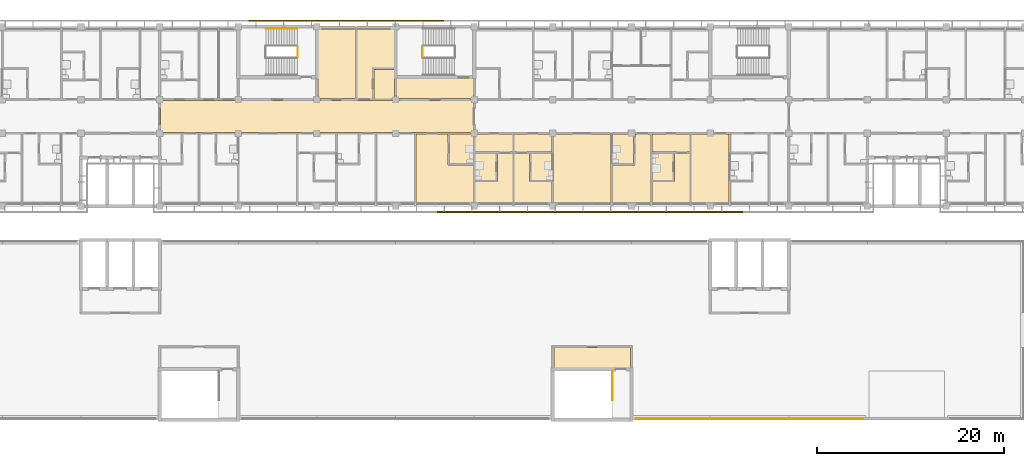
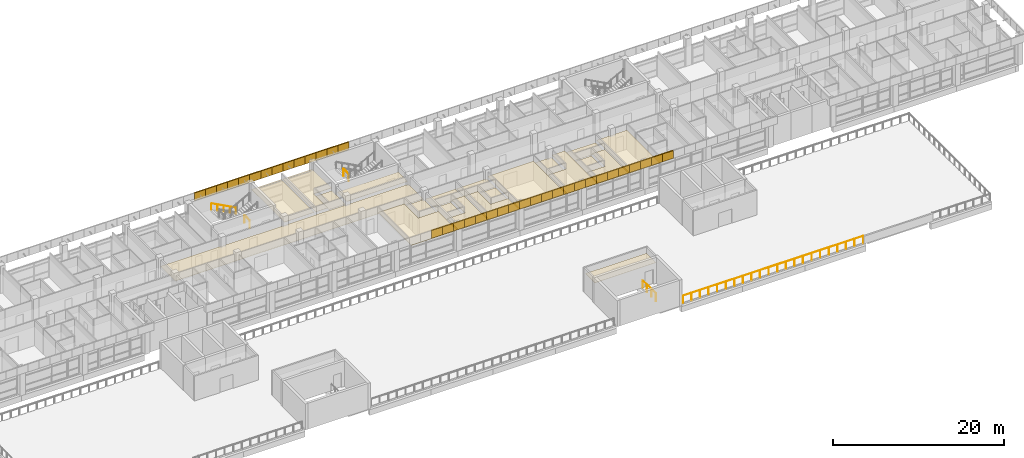
# One storey, part 41 of 46: 57 coverings, 5 railings.
"""IFC4 building model written with IfcOpenShell, lengths in metres."""

from ifc_helpers import new_model, si_unit, direction, frame, origin, origin_2d, place, context, subcontext, project, spatial, polyline, circle, outline, extrude, material, layer, layer_set, type_object, element, save


model = new_model("IFC4")

# Units and contexts
model_context = context("Model", 3, precision=1e-05, world=origin(), true_north=direction((0.0, 1.0)))
body_context = subcontext(model_context, "Body", "Model", "MODEL_VIEW")
ifc_project = project(units=[si_unit("LENGTHUNIT", "METRE"), si_unit("AREAUNIT", "SQUARE_METRE"), si_unit("VOLUMEUNIT", "CUBIC_METRE"), si_unit("PLANEANGLEUNIT", "RADIAN"), si_unit("MASSUNIT", "GRAM", prefix="KILO")], contexts=[model_context])

# Site, building, storey
site_placement = place(None, origin())
site = spatial("IfcSite", under=ifc_project, at=site_placement, CompositionType="ELEMENT")
building_placement = place(site_placement, origin())
building = spatial("IfcBuilding", under=site, at=building_placement, Name="Bougainvillea Quay General Hospital", CompositionType="ELEMENT")
storey_placement = place(building_placement, frame((0.0, 0.0, 28.800048828125)))
storey = spatial("IfcBuildingStorey", under=building, at=storey_placement, Name="L06", CompositionType="ELEMENT", Elevation=28.800048828125)

# Coverings
ifc_material_1 = material(Name="Powder-coated aluminium fascia, white", Category="aluminium")
ifc_layer_1 = layer(ifc_material_1, 0.14990234375)
ifc_layer_set_1 = layer_set([ifc_layer_1], Name="Powder-coated aluminium fascia, white")
covering_type_1 = type_object("IfcCoveringType", Name="Aluminium fascia band white 150x1100", PredefinedType="CLADDING", material=ifc_layer_set_1)
covering_1_placement = place(storey_placement, frame((105.96240234375, 160.14990234375, 3.349853515625), z_axis=(0.0, 0.0, 1.0), x_axis=(-1.0, 0.0, 0.0)))
element("IfcCovering", 1, at=covering_1_placement, inside=storey, type_object=covering_type_1, Name="Fascia band white e0 54", PredefinedType="CLADDING", context=body_context, shape_type="SweptSolid", body=[
    extrude(outline(polyline([(0.0, 0.0), (1.4873046875, 0.0), (1.4873046875, -0.150146484375), (0.0, -0.150146484375), (0.0, 0.0)])), origin(), (0.0, 0.0, 1.0), 1.10009765625),
])
for number, where, z_axis, x_axis, name in (
    (2, (104.47509765625, 160.14990234375, 3.349853515625), (0.0, 0.0, 1.0), (-1.0, 0.0, 0.0), "Fascia band white e0 55"),
    (3, (102.987548828125, 160.14990234375, 3.349853515625), (0.0, 0.0, 1.0), (-1.0, 0.0, 0.0), "Fascia band white e0 56"),
    (4, (101.5, 160.14990234375, 3.349853515625), (0.0, 0.0, 1.0), (-1.0, 0.0, 0.0), "Fascia band white e0 57"),
    (5, (100.012451171875, 160.14990234375, 3.349853515625), (0.0, 0.0, 1.0), (-1.0, 0.0, 0.0), "Fascia band white e0 58"),
):
    element("IfcCovering", number, at=place(storey_placement, frame(where, z_axis=z_axis, x_axis=x_axis)), inside=storey, type_object=covering_type_1, Name=name, PredefinedType="CLADDING", context=body_context, shape_type="SweptSolid", body=[
        extrude(outline(polyline([(0.0, 0.0), (1.487548828125, 0.0), (1.487548828125, -0.150146484375), (0.0, -0.150146484375), (0.0, 0.0)])), origin(), (0.0, 0.0, 1.0), 1.10009765625),
    ])
covering_2_placement = place(storey_placement, frame((98.52490234375, 160.14990234375, 3.349853515625), z_axis=(0.0, 0.0, 1.0), x_axis=(-1.0, 0.0, 0.0)))
element("IfcCovering", 6, at=covering_2_placement, inside=storey, type_object=covering_type_1, Name="Fascia band white e0 59", PredefinedType="CLADDING", context=body_context, shape_type="SweptSolid", body=[
    extrude(outline(polyline([(0.0, 0.0), (1.4873046875, 0.0), (1.4873046875, -0.150146484375), (0.0, -0.150146484375), (0.0, 0.0)])), origin(), (0.0, 0.0, 1.0), 1.10009765625),
])
for number, where, z_axis, x_axis, name in (
    (7, (97.03759765625, 160.14990234375, 3.349853515625), (0.0, 0.0, 1.0), (-1.0, 0.0, 0.0), "Fascia band white e0 60"),
    (8, (95.550048828125, 160.14990234375, 3.349853515625), (0.0, 0.0, 1.0), (-1.0, 0.0, 0.0), "Fascia band white e0 61"),
    (9, (94.0625, 160.14990234375, 3.349853515625), (0.0, 0.0, 1.0), (-1.0, 0.0, 0.0), "Fascia band white e0 62"),
    (10, (92.574951171875, 160.14990234375, 3.349853515625), (0.0, 0.0, 1.0), (-1.0, 0.0, 0.0), "Fascia band white e0 63"),
):
    element("IfcCovering", number, at=place(storey_placement, frame(where, z_axis=z_axis, x_axis=x_axis)), inside=storey, type_object=covering_type_1, Name=name, PredefinedType="CLADDING", context=body_context, shape_type="SweptSolid", body=[
        extrude(outline(polyline([(0.0, 0.0), (1.487548828125, 0.0), (1.487548828125, -0.150146484375), (0.0, -0.150146484375), (0.0, 0.0)])), origin(), (0.0, 0.0, 1.0), 1.10009765625),
    ])
covering_3_placement = place(storey_placement, frame((91.08740234375, 160.14990234375, 3.349853515625), z_axis=(0.0, 0.0, 1.0), x_axis=(-1.0, 0.0, 0.0)))
element("IfcCovering", 11, at=covering_3_placement, inside=storey, type_object=covering_type_1, Name="Fascia band white e0 64", PredefinedType="CLADDING", context=body_context, shape_type="SweptSolid", body=[
    extrude(outline(polyline([(0.0, 0.0), (1.4873046875, 0.0), (1.4873046875, -0.150146484375), (0.0, -0.150146484375), (0.0, 0.0)])), origin(), (0.0, 0.0, 1.0), 1.10009765625),
])
for number, where, z_axis, x_axis, name in (
    (12, (89.60009765625, 160.14990234375, 3.349853515625), (0.0, 0.0, 1.0), (-1.0, 0.0, 0.0), "Fascia band white e0 65"),
    (13, (88.112548828125, 160.14990234375, 3.349853515625), (0.0, 0.0, 1.0), (-1.0, 0.0, 0.0), "Fascia band white e0 66"),
    (14, (86.625, 160.14990234375, 3.349853515625), (0.0, 0.0, 1.0), (-1.0, 0.0, 0.0), "Fascia band white e0 67"),
):
    element("IfcCovering", number, at=place(storey_placement, frame(where, z_axis=z_axis, x_axis=x_axis)), inside=storey, type_object=covering_type_1, Name=name, PredefinedType="CLADDING", context=body_context, shape_type="SweptSolid", body=[
        extrude(outline(polyline([(0.0, 0.0), (1.487548828125, 0.0), (1.487548828125, -0.150146484375), (0.0, -0.150146484375), (0.0, 0.0)])), origin(), (0.0, 0.0, 1.0), 1.10009765625),
    ])
covering_4_placement = place(storey_placement, frame((105.2470703125, 139.85009765625, 3.349853515625), z_axis=(0.0, 0.0, 1.0), x_axis=(1.0, 0.0, 0.0)))
element("IfcCovering", 15, at=covering_4_placement, inside=storey, type_object=covering_type_1, Name="Fascia band white e0 161", PredefinedType="CLADDING", context=body_context, shape_type="SweptSolid", body=[
    extrude(outline(polyline([(0.0, 0.0), (1.482421875, 0.0), (1.482421875, -0.150146484375), (0.0, -0.150146484375), (0.0, 0.0)])), origin(), (0.0, 0.0, 1.0), 1.10009765625),
])
covering_5_placement = place(storey_placement, frame((106.7294921875, 139.85009765625, 3.349853515625), z_axis=(0.0, 0.0, 1.0), x_axis=(1.0, 0.0, 0.0)))
element("IfcCovering", 16, at=covering_5_placement, inside=storey, type_object=covering_type_1, Name="Fascia band white e0 162", PredefinedType="CLADDING", context=body_context, shape_type="SweptSolid", body=[
    extrude(outline(polyline([(0.0, 0.0), (1.482177734375, 0.0), (1.482177734375, -0.150146484375), (0.0, -0.150146484375), (0.0, 0.0)])), origin(), (0.0, 0.0, 1.0), 1.10009765625),
])
for number, where, z_axis, x_axis, name in (
    (17, (108.211669921875, 139.85009765625, 3.349853515625), (0.0, 0.0, 1.0), (1.0, 0.0, 0.0), "Fascia band white e0 163"),
    (18, (109.694091796875, 139.85009765625, 3.349853515625), (0.0, 0.0, 1.0), (1.0, 0.0, 0.0), "Fascia band white e0 164"),
    (19, (111.176513671875, 139.85009765625, 3.349853515625), (0.0, 0.0, 1.0), (1.0, 0.0, 0.0), "Fascia band white e0 165"),
):
    element("IfcCovering", number, at=place(storey_placement, frame(where, z_axis=z_axis, x_axis=x_axis)), inside=storey, type_object=covering_type_1, Name=name, PredefinedType="CLADDING", context=body_context, shape_type="SweptSolid", body=[
        extrude(outline(polyline([(0.0, 0.0), (1.482421875, 0.0), (1.482421875, -0.150146484375), (0.0, -0.150146484375), (0.0, 0.0)])), origin(), (0.0, 0.0, 1.0), 1.10009765625),
    ])
covering_6_placement = place(storey_placement, frame((112.658935546875, 139.85009765625, 3.349853515625), z_axis=(0.0, 0.0, 1.0), x_axis=(1.0, 0.0, 0.0)))
element("IfcCovering", 20, at=covering_6_placement, inside=storey, type_object=covering_type_1, Name="Fascia band white e0 166", PredefinedType="CLADDING", context=body_context, shape_type="SweptSolid", body=[
    extrude(outline(polyline([(0.0, 0.0), (1.482177734375, 0.0), (1.482177734375, -0.150146484375), (0.0, -0.150146484375), (0.0, 0.0)])), origin(), (0.0, 0.0, 1.0), 1.10009765625),
])
for number, where, z_axis, x_axis, name in (
    (21, (114.14111328125, 139.85009765625, 3.349853515625), (0.0, 0.0, 1.0), (1.0, 0.0, 0.0), "Fascia band white e0 167"),
    (22, (115.62353515625, 139.85009765625, 3.349853515625), (0.0, 0.0, 1.0), (1.0, 0.0, 0.0), "Fascia band white e0 168"),
):
    element("IfcCovering", number, at=place(storey_placement, frame(where, z_axis=z_axis, x_axis=x_axis)), inside=storey, type_object=covering_type_1, Name=name, PredefinedType="CLADDING", context=body_context, shape_type="SweptSolid", body=[
        extrude(outline(polyline([(0.0, 0.0), (1.482421875, 0.0), (1.482421875, -0.150146484375), (0.0, -0.150146484375), (0.0, 0.0)])), origin(), (0.0, 0.0, 1.0), 1.10009765625),
    ])
covering_7_placement = place(storey_placement, frame((117.10595703125, 139.85009765625, 3.349853515625), z_axis=(0.0, 0.0, 1.0), x_axis=(1.0, 0.0, 0.0)))
element("IfcCovering", 23, at=covering_7_placement, inside=storey, type_object=covering_type_1, Name="Fascia band white e0 169", PredefinedType="CLADDING", context=body_context, shape_type="SweptSolid", body=[
    extrude(outline(polyline([(0.0, 0.0), (1.482177734375, 0.0), (1.482177734375, -0.150146484375), (0.0, -0.150146484375), (0.0, 0.0)])), origin(), (0.0, 0.0, 1.0), 1.10009765625),
])
for number, where, z_axis, x_axis, name in (
    (24, (118.588134765625, 139.85009765625, 3.349853515625), (0.0, 0.0, 1.0), (1.0, 0.0, 0.0), "Fascia band white e0 170"),
    (25, (120.070556640625, 139.85009765625, 3.349853515625), (0.0, 0.0, 1.0), (1.0, 0.0, 0.0), "Fascia band white e0 171"),
    (26, (121.552978515625, 139.85009765625, 3.349853515625), (0.0, 0.0, 1.0), (1.0, 0.0, 0.0), "Fascia band white e0 172"),
):
    element("IfcCovering", number, at=place(storey_placement, frame(where, z_axis=z_axis, x_axis=x_axis)), inside=storey, type_object=covering_type_1, Name=name, PredefinedType="CLADDING", context=body_context, shape_type="SweptSolid", body=[
        extrude(outline(polyline([(0.0, 0.0), (1.482421875, 0.0), (1.482421875, -0.150146484375), (0.0, -0.150146484375), (0.0, 0.0)])), origin(), (0.0, 0.0, 1.0), 1.10009765625),
    ])
covering_8_placement = place(storey_placement, frame((123.035400390625, 139.85009765625, 3.349853515625), z_axis=(0.0, 0.0, 1.0), x_axis=(1.0, 0.0, 0.0)))
element("IfcCovering", 27, at=covering_8_placement, inside=storey, type_object=covering_type_1, Name="Fascia band white e0 173", PredefinedType="CLADDING", context=body_context, shape_type="SweptSolid", body=[
    extrude(outline(polyline([(0.0, 0.0), (1.482177734375, 0.0), (1.482177734375, -0.150146484375), (0.0, -0.150146484375), (0.0, 0.0)])), origin(), (0.0, 0.0, 1.0), 1.10009765625),
])
for number, where, z_axis, x_axis, name in (
    (28, (124.517578125, 139.85009765625, 3.349853515625), (0.0, 0.0, 1.0), (1.0, 0.0, 0.0), "Fascia band white e0 174"),
    (29, (126.0, 139.85009765625, 3.349853515625), (0.0, 0.0, 1.0), (1.0, 0.0, 0.0), "Fascia band white e0 175"),
):
    element("IfcCovering", number, at=place(storey_placement, frame(where, z_axis=z_axis, x_axis=x_axis)), inside=storey, type_object=covering_type_1, Name=name, PredefinedType="CLADDING", context=body_context, shape_type="SweptSolid", body=[
        extrude(outline(polyline([(0.0, 0.0), (1.482421875, 0.0), (1.482421875, -0.150146484375), (0.0, -0.150146484375), (0.0, 0.0)])), origin(), (0.0, 0.0, 1.0), 1.10009765625),
    ])
covering_9_placement = place(storey_placement, frame((127.482421875, 139.85009765625, 3.349853515625), z_axis=(0.0, 0.0, 1.0), x_axis=(1.0, 0.0, 0.0)))
element("IfcCovering", 30, at=covering_9_placement, inside=storey, type_object=covering_type_1, Name="Fascia band white e0 176", PredefinedType="CLADDING", context=body_context, shape_type="SweptSolid", body=[
    extrude(outline(polyline([(0.0, 0.0), (1.482177734375, 0.0), (1.482177734375, -0.150146484375), (0.0, -0.150146484375), (0.0, 0.0)])), origin(), (0.0, 0.0, 1.0), 1.10009765625),
])
for number, where, z_axis, x_axis, name in (
    (31, (128.964599609375, 139.85009765625, 3.349853515625), (0.0, 0.0, 1.0), (1.0, 0.0, 0.0), "Fascia band white e0 177"),
    (32, (130.447021484375, 139.85009765625, 3.349853515625), (0.0, 0.0, 1.0), (1.0, 0.0, 0.0), "Fascia band white e0 178"),
    (33, (131.929443359375, 139.85009765625, 3.349853515625), (0.0, 0.0, 1.0), (1.0, 0.0, 0.0), "Fascia band white e0 179"),
):
    element("IfcCovering", number, at=place(storey_placement, frame(where, z_axis=z_axis, x_axis=x_axis)), inside=storey, type_object=covering_type_1, Name=name, PredefinedType="CLADDING", context=body_context, shape_type="SweptSolid", body=[
        extrude(outline(polyline([(0.0, 0.0), (1.482421875, 0.0), (1.482421875, -0.150146484375), (0.0, -0.150146484375), (0.0, 0.0)])), origin(), (0.0, 0.0, 1.0), 1.10009765625),
    ])
covering_10_placement = place(storey_placement, frame((133.411865234375, 139.85009765625, 3.349853515625), z_axis=(0.0, 0.0, 1.0), x_axis=(1.0, 0.0, 0.0)))
element("IfcCovering", 34, at=covering_10_placement, inside=storey, type_object=covering_type_1, Name="Fascia band white e0 180", PredefinedType="CLADDING", context=body_context, shape_type="SweptSolid", body=[
    extrude(outline(polyline([(0.0, 0.0), (1.482177734375, 0.0), (1.482177734375, -0.150146484375), (0.0, -0.150146484375), (0.0, 0.0)])), origin(), (0.0, 0.0, 1.0), 1.10009765625),
])
for number, where, z_axis, x_axis, name in (
    (35, (134.89404296875, 139.85009765625, 3.349853515625), (0.0, 0.0, 1.0), (1.0, 0.0, 0.0), "Fascia band white e0 181"),
    (36, (136.37646484375, 139.85009765625, 3.349853515625), (0.0, 0.0, 1.0), (1.0, 0.0, 0.0), "Fascia band white e0 182"),
):
    element("IfcCovering", number, at=place(storey_placement, frame(where, z_axis=z_axis, x_axis=x_axis)), inside=storey, type_object=covering_type_1, Name=name, PredefinedType="CLADDING", context=body_context, shape_type="SweptSolid", body=[
        extrude(outline(polyline([(0.0, 0.0), (1.482421875, 0.0), (1.482421875, -0.150146484375), (0.0, -0.150146484375), (0.0, 0.0)])), origin(), (0.0, 0.0, 1.0), 1.10009765625),
    ])

# Railings
ifc_material_2 = material(Name="Stainless steel guard, brushed grade 316", Category="steel")
railing_type_1 = type_object("IfcRailingType", Name="Stainless steel guard 1100", PredefinedType="GUARDRAIL", material=ifc_material_2)
railing_1_placement = place(storey_placement, frame((150.75, 117.75, 0.0)))
element("IfcRailing", 37, at=railing_1_placement, inside=storey, type_object=railing_type_1, Name="Guard G01", PredefinedType="GUARDRAIL", context=body_context, shape_type="SweptSolid", body=[
    extrude(circle(Radius=0.02392578125, at=origin_2d()), frame((0.0, 0.0, 1.076171875), z_axis=(-1.0, 0.0, 0.0), x_axis=(0.0, -1.0, 0.0)), (0.0, 0.0, 1.0), 24.300048828125),
    extrude(circle(Radius=0.02099609375, at=origin_2d()), origin(), (0.0, 0.0, 1.0), 1.052001953125),
    extrude(circle(Radius=0.02099609375, at=origin_2d()), frame((-1.1572265625, 0.0, 0.0)), (0.0, 0.0, 1.0), 1.052001953125),
    extrude(circle(Radius=0.02099609375, at=origin_2d()), frame((-2.314208984375, 0.0, 0.0)), (0.0, 0.0, 1.0), 1.052001953125),
    extrude(circle(Radius=0.02099609375, at=origin_2d()), frame((-3.471435546875, 0.0, 0.0)), (0.0, 0.0, 1.0), 1.052001953125),
    extrude(circle(Radius=0.02099609375, at=origin_2d()), frame((-4.628662109375, 0.0, 0.0)), (0.0, 0.0, 1.0), 1.052001953125),
    extrude(circle(Radius=0.02099609375, at=origin_2d()), frame((-5.78564453125, 0.0, 0.0)), (0.0, 0.0, 1.0), 1.052001953125),
    extrude(circle(Radius=0.02099609375, at=origin_2d()), frame((-6.94287109375, 0.0, 0.0)), (0.0, 0.0, 1.0), 1.052001953125),
    extrude(circle(Radius=0.02099609375, at=origin_2d()), frame((-8.10009765625, 0.0, 0.0)), (0.0, 0.0, 1.0), 1.052001953125),
    extrude(circle(Radius=0.02099609375, at=origin_2d()), frame((-9.257080078125, 0.0, 0.0)), (0.0, 0.0, 1.0), 1.052001953125),
    extrude(circle(Radius=0.02099609375, at=origin_2d()), frame((-10.414306640625, 0.0, 0.0)), (0.0, 0.0, 1.0), 1.052001953125),
    extrude(circle(Radius=0.02099609375, at=origin_2d()), frame((-11.571533203125, 0.0, 0.0)), (0.0, 0.0, 1.0), 1.052001953125),
    extrude(circle(Radius=0.02099609375, at=origin_2d()), frame((-12.728515625, 0.0, 0.0)), (0.0, 0.0, 1.0), 1.052001953125),
    extrude(circle(Radius=0.02099609375, at=origin_2d()), frame((-13.8857421875, 0.0, 0.0)), (0.0, 0.0, 1.0), 1.052001953125),
    extrude(circle(Radius=0.02099609375, at=origin_2d()), frame((-15.04296875, 0.0, 0.0)), (0.0, 0.0, 1.0), 1.052001953125),
    extrude(circle(Radius=0.02099609375, at=origin_2d()), frame((-16.199951171875, 0.0, 0.0)), (0.0, 0.0, 1.0), 1.052001953125),
    extrude(circle(Radius=0.02099609375, at=origin_2d()), frame((-17.357177734375, 0.0, 0.0)), (0.0, 0.0, 1.0), 1.052001953125),
    extrude(circle(Radius=0.02099609375, at=origin_2d()), frame((-18.514404296875, 0.0, 0.0)), (0.0, 0.0, 1.0), 1.052001953125),
    extrude(circle(Radius=0.02099609375, at=origin_2d()), frame((-19.67138671875, 0.0, 0.0)), (0.0, 0.0, 1.0), 1.052001953125),
    extrude(circle(Radius=0.02099609375, at=origin_2d()), frame((-20.82861328125, 0.0, 0.0)), (0.0, 0.0, 1.0), 1.052001953125),
    extrude(circle(Radius=0.02099609375, at=origin_2d()), frame((-21.98583984375, 0.0, 0.0)), (0.0, 0.0, 1.0), 1.052001953125),
    extrude(circle(Radius=0.02099609375, at=origin_2d()), frame((-23.142822265625, 0.0, 0.0)), (0.0, 0.0, 1.0), 1.052001953125),
    extrude(circle(Radius=0.02099609375, at=origin_2d()), frame((-24.300048828125, 0.0, 0.0)), (0.0, 0.0, 1.0), 1.052001953125),
])
ifc_material_3 = material(Name="Stainless steel 304 balustrade", Category="steel")
railing_type_2 = type_object("IfcRailingType", Name="Stair guard 1100", PredefinedType="GUARDRAIL", material=ifc_material_3)
railing_2_placement = place(storey_placement, frame((90.35009765625, 157.5, 0.0)))
element("IfcRailing", 38, at=railing_2_placement, inside=storey, type_object=railing_type_2, Name="L06 ST-A2 stair guard 4", PredefinedType="GUARDRAIL", context=body_context, shape_type="SweptSolid", body=[
    extrude(circle(Radius=0.02392578125, at=origin_2d()), frame((0.0, 0.0, 1.076171875), z_axis=(0.0, -1.0, 0.0), x_axis=(1.0, 0.0, 0.0)), (0.0, 0.0, 1.0), 1.199951171875),
    extrude(circle(Radius=0.02099609375, at=origin_2d()), origin(), (0.0, 0.0, 1.0), 1.052001953125),
    extrude(circle(Radius=0.02099609375, at=origin_2d()), frame((0.0, -1.199951171875, 0.0)), (0.0, 0.0, 1.0), 1.052001953125),
])
railing_3_placement = place(storey_placement, frame((123.949951171875, 122.824951171875, 0.0)))
element("IfcRailing", 39, at=railing_3_placement, inside=storey, type_object=railing_type_2, Name="L06 ST-B3 top well guard 1", PredefinedType="GUARDRAIL", context=body_context, shape_type="SweptSolid", body=[
    extrude(circle(Radius=0.02392578125, at=origin_2d()), frame((0.0, 0.0, 1.076171875), z_axis=(0.0, -1.0, 0.0), x_axis=(1.0, 0.0, 0.0)), (0.0, 0.0, 1.0), 3.125),
    extrude(circle(Radius=0.02099609375, at=origin_2d()), origin(), (0.0, 0.0, 1.0), 1.052001953125),
    extrude(circle(Radius=0.02099609375, at=origin_2d()), frame((0.0, -1.041748046875, 0.0)), (0.0, 0.0, 1.0), 1.052001953125),
    extrude(circle(Radius=0.02099609375, at=origin_2d()), frame((0.0, -2.083251953125, 0.0)), (0.0, 0.0, 1.0), 1.052001953125),
    extrude(circle(Radius=0.02099609375, at=origin_2d()), frame((0.0, -3.125, 0.0)), (0.0, 0.0, 1.0), 1.052001953125),
])
railing_4_placement = place(storey_placement, frame((103.68994140625, 157.5, 1.949951171875)))
element("IfcRailing", 40, at=railing_4_placement, inside=storey, type_object=railing_type_2, Name="L06 ST-A5 stair guard 2", PredefinedType="GUARDRAIL", context=body_context, shape_type="SweptSolid", body=[
    extrude(circle(Radius=0.02392578125, at=origin_2d()), frame((0.0, 0.0, 1.076171875), z_axis=(0.0, -1.0, 0.0), x_axis=(1.0, 0.0, 0.0)), (0.0, 0.0, 1.0), 1.199951171875),
    extrude(circle(Radius=0.02099609375, at=origin_2d()), origin(), (0.0, 0.0, 1.0), 1.052001953125),
    extrude(circle(Radius=0.02099609375, at=origin_2d()), frame((0.0, -1.199951171875, 0.0)), (0.0, 0.0, 1.0), 1.052001953125),
])
ifc_material_4 = material(Name="Stainless steel 304 handrail", Category="steel")
railing_type_3 = type_object("IfcRailingType", Name="Stair handrail 900", PredefinedType="HANDRAIL", material=ifc_material_4)
railing_5_placement = place(storey_placement, frame((90.300048828125, 159.375, 0.14990234375)))
element("IfcRailing", 41, at=railing_5_placement, inside=storey, type_object=railing_type_3, Name="L06 ST-A2 stair handrail 1", PredefinedType="HANDRAIL", context=body_context, shape_type="SweptSolid", body=[
    extrude(circle(Radius=0.02392578125, at=origin_2d()), frame((0.0, 0.0, 0.8759765625), z_axis=(-0.881480922165, 0.0, 0.47221963519), x_axis=(0.0, -1.0, 0.0)), (0.0, 0.0, 1.0), 3.811767578125),
    extrude(circle(Radius=0.02099609375, at=origin_2d()), origin(), (0.0, 0.0, 1.0), 0.851806640625),
    extrude(circle(Radius=0.02099609375, at=origin_2d()), frame((-0.840087890625, 0.0, 0.449951171875)), (0.0, 0.0, 1.0), 0.851806640625),
    extrude(circle(Radius=0.02099609375, at=origin_2d()), frame((-1.68017578125, 0.0, 0.89990234375)), (0.0, 0.0, 1.0), 0.851806640625),
    extrude(circle(Radius=0.02099609375, at=origin_2d()), frame((-2.52001953125, 0.0, 1.35009765625)), (0.0, 0.0, 1.0), 0.851806640625),
    extrude(circle(Radius=0.02099609375, at=origin_2d()), frame((-3.360107421875, 0.0, 1.800048828125)), (0.0, 0.0, 1.0), 0.851806640625),
])

# Coverings
ifc_material_5 = material(Name="Mineral fibre ceiling tile")
ifc_layer_2 = layer(ifc_material_5, 0.030029296875)
ifc_layer_set_2 = layer_set([ifc_layer_2], Name="Mineral fibre ceiling tile")
covering_type_2 = type_object("IfcCoveringType", Name="Suspended ceiling mineral fibre tile", PredefinedType="CEILING", material=ifc_layer_set_2)
covering_11_placement = place(storey_placement, frame((0.0, 0.0, 2.699951171875)))
element("IfcCovering", 42, at=covering_11_placement, inside=storey, type_object=covering_type_2, Name="Ceiling Refuge Room RR-A2-L06", PredefinedType="CEILING", context=body_context, shape_type="SweptSolid", body=[
    extrude(outline(polyline([(92.5, 159.60009765625), (92.5, 151.89990234375), (96.5, 151.89990234375), (96.5, 159.60009765625), (92.5, 159.60009765625)])), origin(), (0.0, 0.0, 1.0), 0.030029296875),
])
covering_12_placement = place(storey_placement, frame((0.0, 0.0, 2.699951171875)))
element("IfcCovering", 43, at=covering_12_placement, inside=storey, type_object=covering_type_2, Name="Ceiling Smoke-proof Vestibule ST-A5", PredefinedType="CEILING", context=body_context, shape_type="SweptSolid", body=[
    extrude(outline(polyline([(109.10009765625, 154.10009765625), (100.89990234375, 154.10009765625), (100.89990234375, 151.89990234375), (109.10009765625, 151.89990234375), (109.10009765625, 154.10009765625)])), origin(), (0.0, 0.0, 1.0), 0.030029296875),
])
covering_13_placement = place(storey_placement, frame((0.0, 0.0, 2.699951171875)))
element("IfcCovering", 44, at=covering_13_placement, inside=storey, type_object=covering_type_2, Name="Ceiling Smoke-proof Vestibule ST-B3", PredefinedType="CEILING", context=body_context, shape_type="SweptSolid", body=[
    extrude(outline(polyline([(117.699951171875, 125.300048828125), (117.699951171875, 123.10009765625), (125.89990234375, 123.10009765625), (125.89990234375, 125.300048828125), (117.699951171875, 125.300048828125)])), origin(), (0.0, 0.0, 1.0), 0.030029296875),
])
covering_14_placement = place(storey_placement, frame((0.0, 0.0, 2.699951171875)))
element("IfcCovering", 45, at=covering_14_placement, inside=storey, type_object=covering_type_2, Name="Ceiling Two-bed Oncology Room 06A18", PredefinedType="CEILING", context=body_context, shape_type="SweptSolid", body=[
    extrude(outline(polyline([(109.10009765625, 140.39990234375), (109.10009765625, 144.824951171875), (106.425048828125, 144.824951171875), (106.425048828125, 148.125), (102.97509765625, 148.125), (102.97509765625, 140.39990234375), (109.10009765625, 140.39990234375)])), origin(), (0.0, 0.0, 1.0), 0.030029296875),
])
covering_15_placement = place(storey_placement, frame((0.0, 0.0, 2.39990234375)))
element("IfcCovering", 46, at=covering_15_placement, inside=storey, type_object=covering_type_2, Name="Ceiling En-suite 06A18", PredefinedType="CEILING", context=body_context, shape_type="SweptSolid", body=[
    extrude(outline(polyline([(106.574951171875, 144.97509765625), (109.10009765625, 144.97509765625), (109.10009765625, 148.125), (106.574951171875, 148.125), (106.574951171875, 144.97509765625)])), origin(), (0.0, 0.0, 1.0), 0.030029296875),
])
covering_16_placement = place(storey_placement, frame((0.0, 0.0, 2.699951171875)))
element("IfcCovering", 47, at=covering_16_placement, inside=storey, type_object=covering_type_2, Name="Ceiling Oncology Patient Room 06A22", PredefinedType="CEILING", context=body_context, shape_type="SweptSolid", body=[
    extrude(outline(polyline([(96.699951171875, 159.60009765625), (96.699951171875, 151.875), (98.324951171875, 151.875), (98.324951171875, 155.175048828125), (100.72509765625, 155.175048828125), (100.72509765625, 159.60009765625), (96.699951171875, 159.60009765625)])), origin(), (0.0, 0.0, 1.0), 0.030029296875),
])
covering_17_placement = place(storey_placement, frame((0.0, 0.0, 2.39990234375)))
element("IfcCovering", 48, at=covering_17_placement, inside=storey, type_object=covering_type_2, Name="Ceiling En-suite 06A22", PredefinedType="CEILING", context=body_context, shape_type="SweptSolid", body=[
    extrude(outline(polyline([(98.47509765625, 151.875), (100.699951171875, 151.875), (100.699951171875, 154.300048828125), (100.75, 154.300048828125), (100.75, 155.02490234375), (98.47509765625, 155.02490234375), (98.47509765625, 151.875)])), origin(), (0.0, 0.0, 1.0), 0.030029296875),
])
covering_18_placement = place(storey_placement, frame((0.0, 0.0, 2.699951171875)))
element("IfcCovering", 49, at=covering_18_placement, inside=storey, type_object=covering_type_2, Name="Ceiling Airborne Isolation Room 06A23", PredefinedType="CEILING", context=body_context, shape_type="SweptSolid", body=[
    extrude(outline(polyline([(113.324951171875, 140.39990234375), (113.324951171875, 146.02490234375), (111.675048828125, 146.02490234375), (111.675048828125, 143.02490234375), (109.300048828125, 143.02490234375), (109.300048828125, 140.39990234375), (113.324951171875, 140.39990234375)])), origin(), (0.0, 0.0, 1.0), 0.030029296875),
])
covering_19_placement = place(storey_placement, frame((0.0, 0.0, 2.39990234375)))
element("IfcCovering", 50, at=covering_19_placement, inside=storey, type_object=covering_type_2, Name="Ceiling Isolation Anteroom 06A23", PredefinedType="CEILING", context=body_context, shape_type="SweptSolid", body=[
    extrude(outline(polyline([(109.300048828125, 146.175048828125), (113.324951171875, 146.175048828125), (113.324951171875, 148.125), (109.300048828125, 148.125), (109.300048828125, 146.175048828125)])), origin(), (0.0, 0.0, 1.0), 0.030029296875),
])
covering_20_placement = place(storey_placement, frame((0.0, 0.0, 2.39990234375)))
element("IfcCovering", 51, at=covering_20_placement, inside=storey, type_object=covering_type_2, Name="Ceiling En-suite 06A23", PredefinedType="CEILING", context=body_context, shape_type="SweptSolid", body=[
    extrude(outline(polyline([(109.300048828125, 143.175048828125), (111.52490234375, 143.175048828125), (111.52490234375, 146.02490234375), (109.300048828125, 146.02490234375), (109.300048828125, 143.175048828125)])), origin(), (0.0, 0.0, 1.0), 0.030029296875),
])
covering_21_placement = place(storey_placement, frame((0.0, 0.0, 2.699951171875)))
element("IfcCovering", 52, at=covering_21_placement, inside=storey, type_object=covering_type_2, Name="Ceiling Airborne Isolation Room 06A24", PredefinedType="CEILING", context=body_context, shape_type="SweptSolid", body=[
    extrude(outline(polyline([(117.52490234375, 140.39990234375), (117.52490234375, 143.02490234375), (115.125, 143.02490234375), (115.125, 146.02490234375), (113.47509765625, 146.02490234375), (113.47509765625, 140.39990234375), (117.52490234375, 140.39990234375)])), origin(), (0.0, 0.0, 1.0), 0.030029296875),
])
covering_22_placement = place(storey_placement, frame((0.0, 0.0, 2.39990234375)))
element("IfcCovering", 53, at=covering_22_placement, inside=storey, type_object=covering_type_2, Name="Ceiling Isolation Anteroom 06A24", PredefinedType="CEILING", context=body_context, shape_type="SweptSolid", body=[
    extrude(outline(polyline([(113.47509765625, 146.175048828125), (117.52490234375, 146.175048828125), (117.52490234375, 148.125), (113.47509765625, 148.125), (113.47509765625, 146.175048828125)])), origin(), (0.0, 0.0, 1.0), 0.030029296875),
])
covering_23_placement = place(storey_placement, frame((0.0, 0.0, 2.39990234375)))
element("IfcCovering", 54, at=covering_23_placement, inside=storey, type_object=covering_type_2, Name="Ceiling En-suite 06A24", PredefinedType="CEILING", context=body_context, shape_type="SweptSolid", body=[
    extrude(outline(polyline([(115.27490234375, 146.02490234375), (115.27490234375, 143.175048828125), (117.550048828125, 143.175048828125), (117.550048828125, 146.02490234375), (115.27490234375, 146.02490234375)])), origin(), (0.0, 0.0, 1.0), 0.030029296875),
])
covering_24_placement = place(storey_placement, frame((0.0, 0.0, 2.699951171875)))
element("IfcCovering", 55, at=covering_24_placement, inside=storey, type_object=covering_type_2, Name="Ceiling Nurses' Station 06A25", PredefinedType="CEILING", context=body_context, shape_type="SweptSolid", body=[
    extrude(outline(polyline([(123.824951171875, 140.39990234375), (123.824951171875, 144.97509765625), (123.85009765625, 144.97509765625), (123.85009765625, 148.125), (117.675048828125, 148.125), (117.675048828125, 146.02490234375), (117.64990234375, 146.02490234375), (117.64990234375, 143.175048828125), (117.675048828125, 143.175048828125), (117.675048828125, 140.39990234375), (123.824951171875, 140.39990234375)])), origin(), (0.0, 0.0, 1.0), 0.030029296875),
])
covering_25_placement = place(storey_placement, frame((0.0, 0.0, 2.699951171875)))
element("IfcCovering", 56, at=covering_25_placement, inside=storey, type_object=covering_type_2, Name="Ceiling Negative Pressure Patient Room 06A26", PredefinedType="CEILING", context=body_context, shape_type="SweptSolid", body=[
    extrude(outline(polyline([(128.02490234375, 140.39990234375), (128.02490234375, 148.125), (126.375, 148.125), (126.375, 144.824951171875), (123.97509765625, 144.824951171875), (123.97509765625, 140.39990234375), (128.02490234375, 140.39990234375)])), origin(), (0.0, 0.0, 1.0), 0.030029296875),
])
covering_26_placement = place(storey_placement, frame((0.0, 0.0, 2.39990234375)))
element("IfcCovering", 57, at=covering_26_placement, inside=storey, type_object=covering_type_2, Name="Ceiling En-suite 06A26", PredefinedType="CEILING", context=body_context, shape_type="SweptSolid", body=[
    extrude(outline(polyline([(123.949951171875, 144.97509765625), (126.22509765625, 144.97509765625), (126.22509765625, 148.125), (123.949951171875, 148.125), (123.949951171875, 144.97509765625)])), origin(), (0.0, 0.0, 1.0), 0.030029296875),
])
covering_27_placement = place(storey_placement, frame((0.0, 0.0, 2.699951171875)))
element("IfcCovering", 58, at=covering_27_placement, inside=storey, type_object=covering_type_2, Name="Ceiling Airborne Isolation Room 06A27", PredefinedType="CEILING", context=body_context, shape_type="SweptSolid", body=[
    extrude(outline(polyline([(132.22509765625, 140.39990234375), (132.22509765625, 146.02490234375), (130.574951171875, 146.02490234375), (130.574951171875, 143.02490234375), (128.175048828125, 143.02490234375), (128.175048828125, 140.39990234375), (132.22509765625, 140.39990234375)])), origin(), (0.0, 0.0, 1.0), 0.030029296875),
])
covering_28_placement = place(storey_placement, frame((0.0, 0.0, 2.39990234375)))
element("IfcCovering", 59, at=covering_28_placement, inside=storey, type_object=covering_type_2, Name="Ceiling Isolation Anteroom 06A27", PredefinedType="CEILING", context=body_context, shape_type="SweptSolid", body=[
    extrude(outline(polyline([(132.22509765625, 146.175048828125), (132.22509765625, 148.125), (128.175048828125, 148.125), (128.175048828125, 146.175048828125), (132.22509765625, 146.175048828125)])), origin(), (0.0, 0.0, 1.0), 0.030029296875),
])
covering_29_placement = place(storey_placement, frame((0.0, 0.0, 2.39990234375)))
element("IfcCovering", 60, at=covering_29_placement, inside=storey, type_object=covering_type_2, Name="Ceiling En-suite 06A27", PredefinedType="CEILING", context=body_context, shape_type="SweptSolid", body=[
    extrude(outline(polyline([(128.175048828125, 146.02490234375), (128.175048828125, 143.175048828125), (130.425048828125, 143.175048828125), (130.425048828125, 146.02490234375), (128.175048828125, 146.02490234375)])), origin(), (0.0, 0.0, 1.0), 0.030029296875),
])
covering_30_placement = place(storey_placement, frame((0.0, 0.0, 2.699951171875)))
element("IfcCovering", 61, at=covering_30_placement, inside=storey, type_object=covering_type_2, Name="Ceiling Treatment and Clean Utility Room 06A28", PredefinedType="CEILING", context=body_context, shape_type="SweptSolid", body=[
    extrude(outline(polyline([(136.425048828125, 140.39990234375), (136.425048828125, 143.175048828125), (136.449951171875, 143.175048828125), (136.449951171875, 146.02490234375), (136.425048828125, 146.02490234375), (136.425048828125, 148.125), (132.375, 148.125), (132.375, 140.39990234375), (136.425048828125, 140.39990234375)])), origin(), (0.0, 0.0, 1.0), 0.030029296875),
])
covering_31_placement = place(storey_placement, frame((0.0, 0.0, 2.39990234375)))
element("IfcCovering", 62, at=covering_31_placement, inside=storey, type_object=covering_type_2, Name="Ceiling Ward Corridor A2", PredefinedType="CEILING", context=body_context, shape_type="SweptSolid", body=[
    extrude(outline(polyline([(96.699951171875, 151.72509765625), (96.699951171875, 151.699951171875), (83.89990234375, 151.699951171875), (83.89990234375, 151.72509765625), (75.699951171875, 151.72509765625), (75.699951171875, 148.27490234375), (109.10009765625, 148.27490234375), (109.10009765625, 151.699951171875), (100.699951171875, 151.699951171875), (100.699951171875, 151.72509765625), (96.699951171875, 151.72509765625)])), origin(), (0.0, 0.0, 1.0), 0.030029296875),
])

save(model, "model.ifc")
